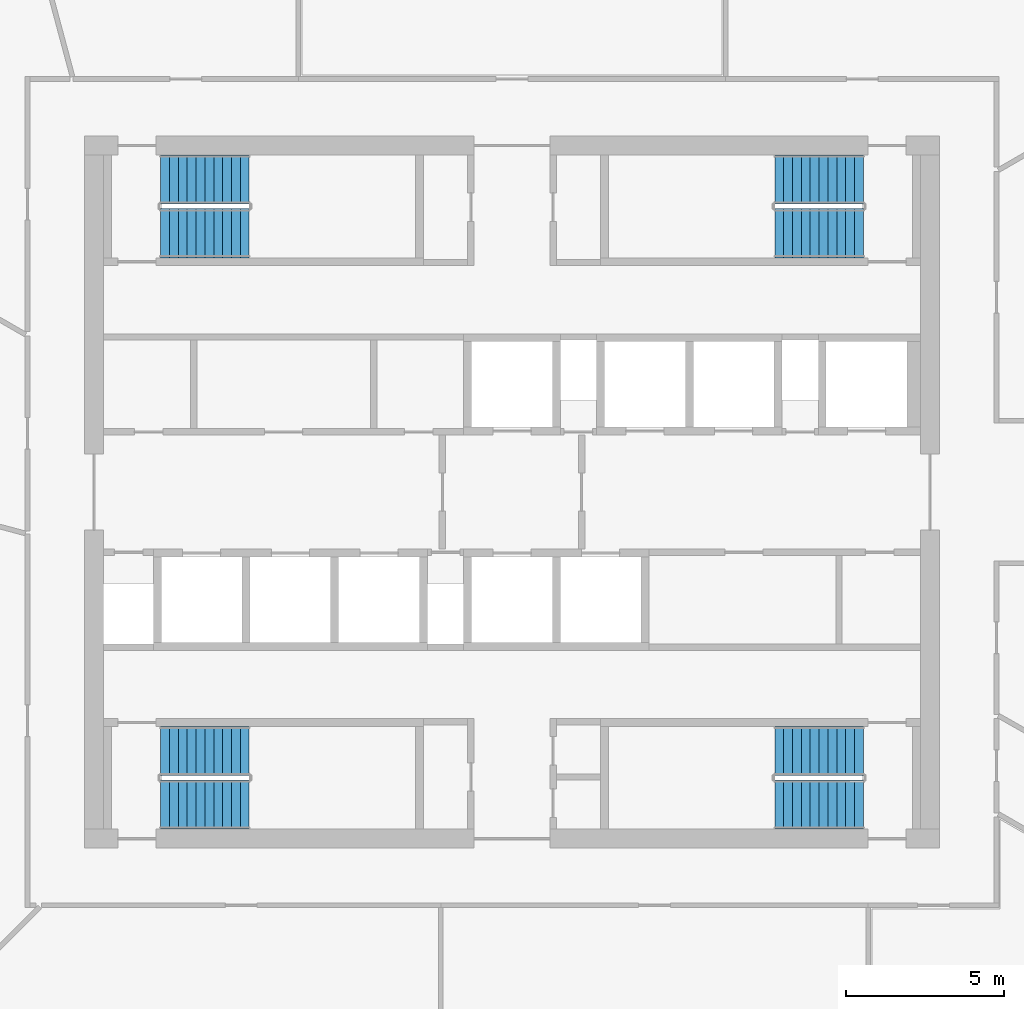
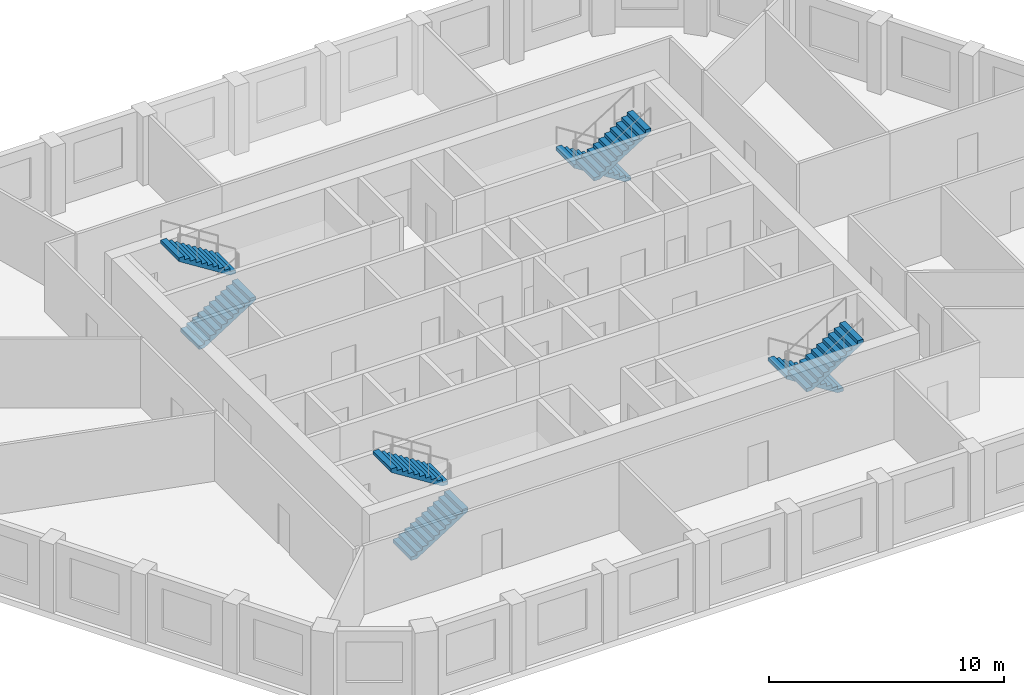
# One storey, part 7 of 10: 8 stair flights, 4 elements without a shape of their own.
"""IFC4 building model written with IfcOpenShell, lengths in metres."""

from ifc_helpers import new_model, si_unit, direction, frame, origin, place, context, subcontext, project, spatial, polyline, outline, extrude, material, type_object, element, aggregate, save


model = new_model("IFC4")

# Units and contexts
model_context = context("Model", 3, precision=1e-05, world=origin(), true_north=direction((0.0, 1.0)))
body_context = subcontext(model_context, "Body", "Model", "MODEL_VIEW")
ifc_project = project(units=[si_unit("LENGTHUNIT", "METRE"), si_unit("AREAUNIT", "SQUARE_METRE"), si_unit("VOLUMEUNIT", "CUBIC_METRE"), si_unit("PLANEANGLEUNIT", "RADIAN"), si_unit("MASSUNIT", "GRAM", prefix="KILO")], contexts=[model_context])

# Site, building, storey
site_placement = place(None, origin())
site = spatial("IfcSite", under=ifc_project, at=site_placement, CompositionType="ELEMENT")
building_placement = place(site_placement, origin())
building = spatial("IfcBuilding", under=site, at=building_placement, Name="Dhurran Vertical Campus", CompositionType="ELEMENT")
storey_placement = place(building_placement, frame((0.0, 0.0, 254.699951171875)))
storey = spatial("IfcBuildingStorey", under=building, at=storey_placement, Name="L63", CompositionType="ELEMENT", Elevation=254.699951171875)

# Stair, stair flights
ifc_material_1 = material(Name="Concrete C40/50", Category="concrete")
stair_type = type_object("IfcStairType", Name="co-ST-CORE", PredefinedType="HALF_TURN_STAIR", material=ifc_material_1)
stair_1_placement = place(storey_placement, origin())
stair_1 = element("IfcStair", 1, at=stair_1_placement, inside=storey, type_object=stair_type, Name="L63 Protected exit stair ST1", PredefinedType="HALF_TURN_STAIR")
ifc_material_2 = material(Name="Concrete C40/50", Category="concrete")
stair_flight_type = type_object("IfcStairFlightType", Name="co-SFL-RC", PredefinedType="STRAIGHT", material=ifc_material_2)
stair_flight_1_placement = place(storey_placement, frame((-11.10009765625, 8.175048828125, 0.0), z_axis=(0.0, 0.0, 1.0), x_axis=(1.0, 0.0, 0.0)))
stair_flight_1 = element("IfcStairFlight", 2, at=stair_flight_1_placement, type_object=stair_flight_type, Name="ST1 flight 1", NumberOfRisers=11, NumberOfTreads=10, PredefinedType="STRAIGHT", RiserHeight=0.177272727, TreadLength=0.28, context=body_context, shape_type="SweptSolid", body=[
    extrude(outline(polyline([(0.0, 0.0), (0.0, 0.17724609375), (0.280029296875, 0.17724609375), (0.280029296875, 0.3544921875), (0.56005859375, 0.3544921875), (0.56005859375, 0.53173828125), (0.840087890625, 0.53173828125), (0.840087890625, 0.708984375), (1.1201171875, 0.708984375), (1.1201171875, 0.886474609375), (1.39990234375, 0.886474609375), (1.39990234375, 1.063720703125), (1.679931640625, 1.063720703125), (1.679931640625, 1.240966796875), (1.9599609375, 1.240966796875), (1.9599609375, 1.418212890625), (2.239990234375, 1.418212890625), (2.239990234375, 1.595458984375), (2.52001953125, 1.595458984375), (2.52001953125, 1.772705078125), (2.800048828125, 1.772705078125), (2.800048828125, 1.949951171875), (2.800048828125, 1.59521484375), (0.2802734375, 0.0), (0.0, 0.0)])), frame((0.0, 0.77490234375, 0.0), z_axis=(0.0, -1.0, 0.0), x_axis=(1.0, 0.0, 0.0)), (0.0, 0.0, 1.0), 1.550048828125),
])
stair_flight_2_placement = place(storey_placement, frame((-8.300048828125, 9.875, 1.949951171875), z_axis=(0.0, 0.0, 1.0), x_axis=(-1.0, 0.0, 0.0)))
stair_flight_2 = element("IfcStairFlight", 3, at=stair_flight_2_placement, type_object=stair_flight_type, Name="ST1 flight 2", NumberOfRisers=11, NumberOfTreads=10, PredefinedType="STRAIGHT", RiserHeight=0.177272727, TreadLength=0.28, context=body_context, shape_type="SweptSolid", body=[
    extrude(outline(polyline([(0.0, 0.0), (0.0, 0.17724609375), (0.280029296875, 0.17724609375), (0.280029296875, 0.3544921875), (0.56005859375, 0.3544921875), (0.56005859375, 0.53173828125), (0.840087890625, 0.53173828125), (0.840087890625, 0.708984375), (1.1201171875, 0.708984375), (1.1201171875, 0.886474609375), (1.39990234375, 0.886474609375), (1.39990234375, 1.063720703125), (1.679931640625, 1.063720703125), (1.679931640625, 1.240966796875), (1.9599609375, 1.240966796875), (1.9599609375, 1.418212890625), (2.239990234375, 1.418212890625), (2.239990234375, 1.595458984375), (2.52001953125, 1.595458984375), (2.52001953125, 1.772705078125), (2.800048828125, 1.772705078125), (2.800048828125, 1.949951171875), (2.800048828125, 1.59521484375), (0.2802734375, 0.0), (0.0, 0.0)])), frame((0.0, 0.77490234375, 0.0), z_axis=(0.0, -1.0, 0.0), x_axis=(1.0, 0.0, 0.0)), (0.0, 0.0, 1.0), 1.550048828125),
])
aggregate(stair_1, [stair_flight_1, stair_flight_2])

stair_2_placement = place(storey_placement, origin())
stair_2 = element("IfcStair", 4, at=stair_2_placement, inside=storey, type_object=stair_type, Name="L63 Protected exit stair ST2", PredefinedType="HALF_TURN_STAIR")
stair_flight_3_placement = place(storey_placement, frame((11.10009765625, 9.875, 0.0), z_axis=(0.0, 0.0, 1.0), x_axis=(-1.0, 0.0, 0.0)))
stair_flight_3 = element("IfcStairFlight", 5, at=stair_flight_3_placement, type_object=stair_flight_type, Name="ST2 flight 1", NumberOfRisers=11, NumberOfTreads=10, PredefinedType="STRAIGHT", RiserHeight=0.177272727, TreadLength=0.28, context=body_context, shape_type="SweptSolid", body=[
    extrude(outline(polyline([(0.0, 0.0), (0.0, 0.17724609375), (0.280029296875, 0.17724609375), (0.280029296875, 0.3544921875), (0.56005859375, 0.3544921875), (0.56005859375, 0.53173828125), (0.840087890625, 0.53173828125), (0.840087890625, 0.708984375), (1.1201171875, 0.708984375), (1.1201171875, 0.886474609375), (1.39990234375, 0.886474609375), (1.39990234375, 1.063720703125), (1.679931640625, 1.063720703125), (1.679931640625, 1.240966796875), (1.9599609375, 1.240966796875), (1.9599609375, 1.418212890625), (2.239990234375, 1.418212890625), (2.239990234375, 1.595458984375), (2.52001953125, 1.595458984375), (2.52001953125, 1.772705078125), (2.800048828125, 1.772705078125), (2.800048828125, 1.949951171875), (2.800048828125, 1.59521484375), (0.2802734375, 0.0), (0.0, 0.0)])), frame((0.0, 0.77490234375, 0.0), z_axis=(0.0, -1.0, 0.0), x_axis=(1.0, 0.0, 0.0)), (0.0, 0.0, 1.0), 1.550048828125),
])
stair_flight_4_placement = place(storey_placement, frame((8.300048828125, 8.175048828125, 1.949951171875), z_axis=(0.0, 0.0, 1.0), x_axis=(1.0, 0.0, 0.0)))
stair_flight_4 = element("IfcStairFlight", 6, at=stair_flight_4_placement, type_object=stair_flight_type, Name="ST2 flight 2", NumberOfRisers=11, NumberOfTreads=10, PredefinedType="STRAIGHT", RiserHeight=0.177272727, TreadLength=0.28, context=body_context, shape_type="SweptSolid", body=[
    extrude(outline(polyline([(0.0, 0.0), (0.0, 0.17724609375), (0.280029296875, 0.17724609375), (0.280029296875, 0.3544921875), (0.56005859375, 0.3544921875), (0.56005859375, 0.53173828125), (0.840087890625, 0.53173828125), (0.840087890625, 0.708984375), (1.1201171875, 0.708984375), (1.1201171875, 0.886474609375), (1.39990234375, 0.886474609375), (1.39990234375, 1.063720703125), (1.679931640625, 1.063720703125), (1.679931640625, 1.240966796875), (1.9599609375, 1.240966796875), (1.9599609375, 1.418212890625), (2.239990234375, 1.418212890625), (2.239990234375, 1.595458984375), (2.52001953125, 1.595458984375), (2.52001953125, 1.772705078125), (2.800048828125, 1.772705078125), (2.800048828125, 1.949951171875), (2.800048828125, 1.59521484375), (0.2802734375, 0.0), (0.0, 0.0)])), frame((0.0, 0.77490234375, 0.0), z_axis=(0.0, -1.0, 0.0), x_axis=(1.0, 0.0, 0.0)), (0.0, 0.0, 1.0), 1.550048828125),
])
aggregate(stair_2, [stair_flight_3, stair_flight_4])

stair_3_placement = place(storey_placement, origin())
stair_3 = element("IfcStair", 7, at=stair_3_placement, inside=storey, type_object=stair_type, Name="L63 Protected exit stair ST3", PredefinedType="HALF_TURN_STAIR")
stair_flight_5_placement = place(storey_placement, frame((-11.10009765625, -9.875, 0.0), z_axis=(0.0, 0.0, 1.0), x_axis=(1.0, 0.0, 0.0)))
stair_flight_5 = element("IfcStairFlight", 8, at=stair_flight_5_placement, type_object=stair_flight_type, Name="ST3 flight 1", NumberOfRisers=11, NumberOfTreads=10, PredefinedType="STRAIGHT", RiserHeight=0.177272727, TreadLength=0.28, context=body_context, shape_type="SweptSolid", body=[
    extrude(outline(polyline([(0.0, 0.0), (0.0, 0.17724609375), (0.280029296875, 0.17724609375), (0.280029296875, 0.3544921875), (0.56005859375, 0.3544921875), (0.56005859375, 0.53173828125), (0.840087890625, 0.53173828125), (0.840087890625, 0.708984375), (1.1201171875, 0.708984375), (1.1201171875, 0.886474609375), (1.39990234375, 0.886474609375), (1.39990234375, 1.063720703125), (1.679931640625, 1.063720703125), (1.679931640625, 1.240966796875), (1.9599609375, 1.240966796875), (1.9599609375, 1.418212890625), (2.239990234375, 1.418212890625), (2.239990234375, 1.595458984375), (2.52001953125, 1.595458984375), (2.52001953125, 1.772705078125), (2.800048828125, 1.772705078125), (2.800048828125, 1.949951171875), (2.800048828125, 1.59521484375), (0.2802734375, 0.0), (0.0, 0.0)])), frame((0.0, 0.77490234375, 0.0), z_axis=(0.0, -1.0, 0.0), x_axis=(1.0, 0.0, 0.0)), (0.0, 0.0, 1.0), 1.550048828125),
])
stair_flight_6_placement = place(storey_placement, frame((-8.300048828125, -8.175048828125, 1.949951171875), z_axis=(0.0, 0.0, 1.0), x_axis=(-1.0, 0.0, 0.0)))
stair_flight_6 = element("IfcStairFlight", 9, at=stair_flight_6_placement, type_object=stair_flight_type, Name="ST3 flight 2", NumberOfRisers=11, NumberOfTreads=10, PredefinedType="STRAIGHT", RiserHeight=0.177272727, TreadLength=0.28, context=body_context, shape_type="SweptSolid", body=[
    extrude(outline(polyline([(0.0, 0.0), (0.0, 0.17724609375), (0.280029296875, 0.17724609375), (0.280029296875, 0.3544921875), (0.56005859375, 0.3544921875), (0.56005859375, 0.53173828125), (0.840087890625, 0.53173828125), (0.840087890625, 0.708984375), (1.1201171875, 0.708984375), (1.1201171875, 0.886474609375), (1.39990234375, 0.886474609375), (1.39990234375, 1.063720703125), (1.679931640625, 1.063720703125), (1.679931640625, 1.240966796875), (1.9599609375, 1.240966796875), (1.9599609375, 1.418212890625), (2.239990234375, 1.418212890625), (2.239990234375, 1.595458984375), (2.52001953125, 1.595458984375), (2.52001953125, 1.772705078125), (2.800048828125, 1.772705078125), (2.800048828125, 1.949951171875), (2.800048828125, 1.59521484375), (0.2802734375, 0.0), (0.0, 0.0)])), frame((0.0, 0.77490234375, 0.0), z_axis=(0.0, -1.0, 0.0), x_axis=(1.0, 0.0, 0.0)), (0.0, 0.0, 1.0), 1.550048828125),
])
aggregate(stair_3, [stair_flight_5, stair_flight_6])

stair_4_placement = place(storey_placement, origin())
stair_4 = element("IfcStair", 10, at=stair_4_placement, inside=storey, type_object=stair_type, Name="L63 Protected exit stair ST4", PredefinedType="HALF_TURN_STAIR")
stair_flight_7_placement = place(storey_placement, frame((11.10009765625, -8.175048828125, 0.0), z_axis=(0.0, 0.0, 1.0), x_axis=(-1.0, 0.0, 0.0)))
stair_flight_7 = element("IfcStairFlight", 11, at=stair_flight_7_placement, type_object=stair_flight_type, Name="ST4 flight 1", NumberOfRisers=11, NumberOfTreads=10, PredefinedType="STRAIGHT", RiserHeight=0.177272727, TreadLength=0.28, context=body_context, shape_type="SweptSolid", body=[
    extrude(outline(polyline([(0.0, 0.0), (0.0, 0.17724609375), (0.280029296875, 0.17724609375), (0.280029296875, 0.3544921875), (0.56005859375, 0.3544921875), (0.56005859375, 0.53173828125), (0.840087890625, 0.53173828125), (0.840087890625, 0.708984375), (1.1201171875, 0.708984375), (1.1201171875, 0.886474609375), (1.39990234375, 0.886474609375), (1.39990234375, 1.063720703125), (1.679931640625, 1.063720703125), (1.679931640625, 1.240966796875), (1.9599609375, 1.240966796875), (1.9599609375, 1.418212890625), (2.239990234375, 1.418212890625), (2.239990234375, 1.595458984375), (2.52001953125, 1.595458984375), (2.52001953125, 1.772705078125), (2.800048828125, 1.772705078125), (2.800048828125, 1.949951171875), (2.800048828125, 1.59521484375), (0.2802734375, 0.0), (0.0, 0.0)])), frame((0.0, 0.77490234375, 0.0), z_axis=(0.0, -1.0, 0.0), x_axis=(1.0, 0.0, 0.0)), (0.0, 0.0, 1.0), 1.550048828125),
])
stair_flight_8_placement = place(storey_placement, frame((8.300048828125, -9.875, 1.949951171875), z_axis=(0.0, 0.0, 1.0), x_axis=(1.0, 0.0, 0.0)))
stair_flight_8 = element("IfcStairFlight", 12, at=stair_flight_8_placement, type_object=stair_flight_type, Name="ST4 flight 2", NumberOfRisers=11, NumberOfTreads=10, PredefinedType="STRAIGHT", RiserHeight=0.177272727, TreadLength=0.28, context=body_context, shape_type="SweptSolid", body=[
    extrude(outline(polyline([(0.0, 0.0), (0.0, 0.17724609375), (0.280029296875, 0.17724609375), (0.280029296875, 0.3544921875), (0.56005859375, 0.3544921875), (0.56005859375, 0.53173828125), (0.840087890625, 0.53173828125), (0.840087890625, 0.708984375), (1.1201171875, 0.708984375), (1.1201171875, 0.886474609375), (1.39990234375, 0.886474609375), (1.39990234375, 1.063720703125), (1.679931640625, 1.063720703125), (1.679931640625, 1.240966796875), (1.9599609375, 1.240966796875), (1.9599609375, 1.418212890625), (2.239990234375, 1.418212890625), (2.239990234375, 1.595458984375), (2.52001953125, 1.595458984375), (2.52001953125, 1.772705078125), (2.800048828125, 1.772705078125), (2.800048828125, 1.949951171875), (2.800048828125, 1.59521484375), (0.2802734375, 0.0), (0.0, 0.0)])), frame((0.0, 0.77490234375, 0.0), z_axis=(0.0, -1.0, 0.0), x_axis=(1.0, 0.0, 0.0)), (0.0, 0.0, 1.0), 1.550048828125),
])
aggregate(stair_4, [stair_flight_7, stair_flight_8])

save(model, "model.ifc")
